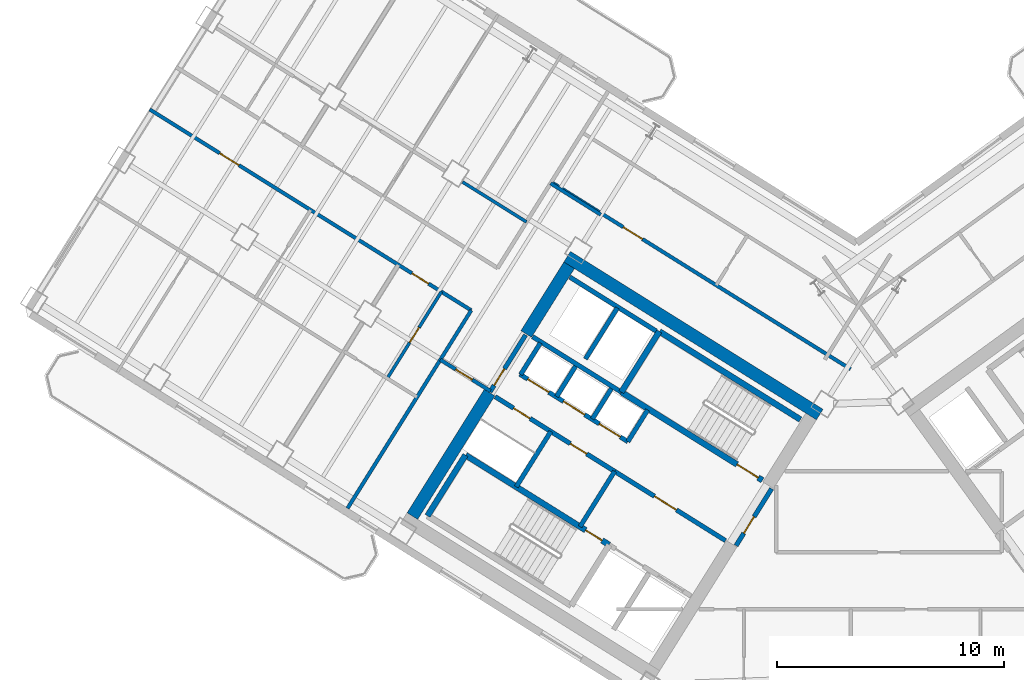
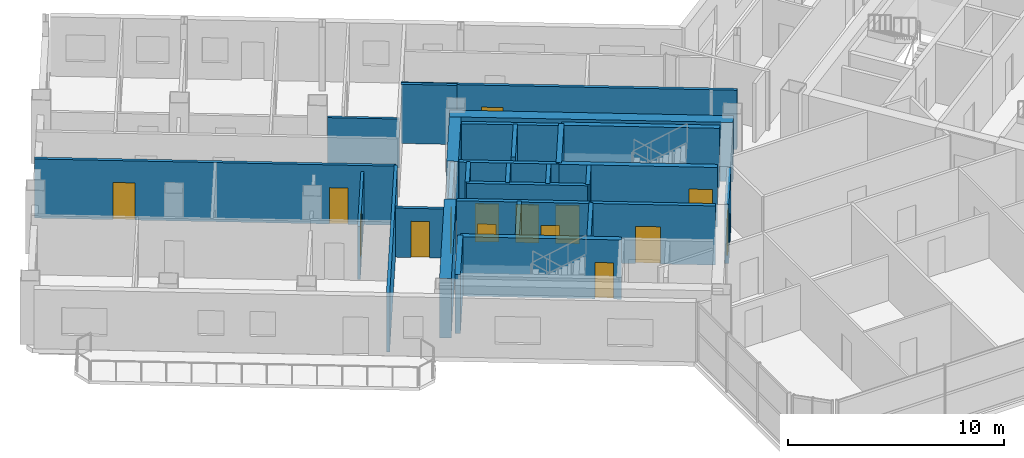
# One storey, part 12 of 20: 29 walls, 15 doors, 15 openings.
"""IFC4 building model written with IfcOpenShell, lengths in metres."""

from ifc_helpers import new_model, si_unit, direction, frame, frame_2d, origin, place, context, subcontext, project, spatial, rectangle, extrude, source, transform, mapped, material, layer, layer_set, type_object, element, fill, save


model = new_model("IFC4")

# Units and contexts
model_context = context("Model", 3, precision=1e-05, world=origin(), true_north=direction((0.0, 1.0)))
body_context = subcontext(model_context, "Body", "Model", "MODEL_VIEW")
ifc_project = project(units=[si_unit("LENGTHUNIT", "METRE"), si_unit("AREAUNIT", "SQUARE_METRE"), si_unit("VOLUMEUNIT", "CUBIC_METRE"), si_unit("PLANEANGLEUNIT", "RADIAN"), si_unit("MASSUNIT", "GRAM", prefix="KILO")], contexts=[model_context])

# Site, building, storey
site_placement = place(None, origin())
site = spatial("IfcSite", under=ifc_project, at=site_placement, CompositionType="ELEMENT")
building_placement = place(site_placement, origin())
building = spatial("IfcBuilding", under=site, at=building_placement, Name="Tlacorven Tower", CompositionType="ELEMENT")
storey_placement = place(building_placement, frame((0.0, 0.0, 116.10009765625)))
storey = spatial("IfcBuildingStorey", under=building, at=storey_placement, Name="L29", CompositionType="ELEMENT", Elevation=116.10009765625)

# Walls
ifc_material_1 = material(Name="Concrete C60/75", Category="concrete")
ifc_layer_1 = layer(ifc_material_1, 0.550048828125)
ifc_layer_set_1 = layer_set([ifc_layer_1], Name="Concrete C60/75")
wall_type_1 = type_object("IfcWallType", Name="WL-COR-550", PredefinedType="SHEAR", material=ifc_layer_set_1)
wall_1_placement = place(storey_placement, frame((40.572998046875, 24.010009765625, 0.0), z_axis=(0.0, 0.0, 1.0), x_axis=(-0.848047359947, 0.529920442413, 0.0)))
element("IfcWall", 1, at=wall_1_placement, inside=storey, type_object=wall_type_1, Name="L29 W core shear wall S1", PredefinedType="SHEAR", context=body_context, shape_type="SweptSolid", body=[
    extrude(rectangle(XDim=13.139892578125, YDim=0.550048828125, at=frame_2d((6.56982421875, 0.0))), origin(), (0.0, 0.0, 1.0), 3.349853515625),
])
wall_2_placement = place(storey_placement, frame((29.517333984375, 30.59423828125, 0.0), z_axis=(0.0, 0.0, 1.0), x_axis=(-0.529906864564, -0.848055844204, 0.0)))
element("IfcWall", 2, at=wall_2_placement, inside=storey, type_object=wall_type_1, Name="L29 W core end wall E2.1", PredefinedType="SHEAR", context=body_context, shape_type="SweptSolid", body=[
    extrude(rectangle(XDim=3.5751953125, YDim=0.550048828125, at=frame_2d((1.78759765625, 0.0))), origin(), (0.0, 0.0, 1.0), 3.349853515625),
])
wall_3_placement = place(storey_placement, frame((26.006591796875, 24.975830078125, 0.0), z_axis=(0.0, 0.0, 1.0), x_axis=(-0.529923795287, -0.848045264823, 0.0)))
element("IfcWall", 3, at=wall_3_placement, inside=storey, type_object=wall_type_1, Name="L29 W core end wall E2.2", PredefinedType="SHEAR", context=body_context, shape_type="SweptSolid", body=[
    extrude(rectangle(XDim=6.425048828125, YDim=0.550048828125, at=frame_2d((3.21240234375, 0.0))), origin(), (0.0, 0.0, 1.0), 3.349853515625),
])
ifc_material_2 = material(Name="Gypsum plasterboard acoustic partition", Category="gypsum")
ifc_layer_2 = layer(ifc_material_2, 0.159912109375)
ifc_layer_set_2 = layer_set([ifc_layer_2], Name="Gypsum plasterboard acoustic partition")
wall_type_2 = type_object("IfcWallType", Name="WL-DEM-160", PredefinedType="PARTITIONING", material=ifc_layer_set_2)
wall_4_placement = place(storey_placement, frame((30.91357421875, 32.82861328125, 0.0), z_axis=(0.0, 0.0, 1.0), x_axis=(-0.848008813643, 0.529982124211, 0.0)))
element("IfcWall", 4, at=wall_4_placement, inside=storey, type_object=wall_type_2, Name="L29 partition 43", PredefinedType="PARTITIONING", context=body_context, shape_type="SweptSolid", body=[
    extrude(rectangle(XDim=2.610107421875, YDim=0.159912109375, at=frame_2d((1.30517578125, 0.0))), origin(), (0.0, 0.0, 1.0), 3.33984375),
])

# Wall, opening, door
wall_5_placement = place(storey_placement, frame((26.048828125, 25.043701171875, 0.0), z_axis=(0.0, 0.0, 1.0), x_axis=(-0.848050851465, 0.529914854792, 0.0)))
wall_5 = element("IfcWall", 5, at=wall_5_placement, inside=storey, type_object=wall_type_2, Name="L29 partition 44", PredefinedType="PARTITIONING", context=body_context, shape_type="SweptSolid", body=[
    extrude(rectangle(XDim=2.60986328125, YDim=0.159912109375, at=frame_2d((1.304931640625, 0.0))), origin(), (0.0, 0.0, 1.0), 2.77490234375),
])
opening_1_placement = place(wall_5_placement, frame((0.949951171875, 0.0, 0.0)))
opening_1 = element("IfcOpeningElement", 6, at=opening_1_placement, cuts=wall_5, Name="Opening D19", PredefinedType="OPENING", context=body_context, shape_type="SweptSolid", body=[
    extrude(rectangle(XDim=0.860107421875, YDim=2.050048828125, at=frame_2d((0.43017578125, 1.02490234375))), frame((0.0, 0.08984375, 0.0), z_axis=(0.0, -1.0, 0.0), x_axis=(1.0, 0.0, 0.0)), (0.0, 0.0, 1.0), 0.179931640625),
])
ifc_material_3 = material(Name="Fire-rated steel door assembly", Category="steel")
door_type_1 = type_object("IfcDoorType", Name="DR-RSR-FD60-0860", OperationType="NOTDEFINED", PredefinedType="DOOR", material=ifc_material_3)
shared_shape_1 = source(origin(), body_context, "Body", "SweptSolid", [
    extrude(rectangle(XDim=0.860107421875, YDim=2.050048828125, at=frame_2d((0.43017578125, 1.02490234375))), frame((0.0, 0.02490234375, 0.0), z_axis=(0.0, -1.0, 0.0), x_axis=(1.0, 0.0, 0.0)), (0.0, 0.0, 1.0), 0.050048828125),
])
door_1_placement = place(opening_1_placement, origin())
door_1 = element("IfcDoor", 7, at=door_1_placement, inside=storey, type_object=door_type_1, Name="L29 door 020", OperationType="SINGLE_SWING_LEFT", OverallHeight=2.050048828125, OverallWidth=0.860107421875, PredefinedType="DOOR", context=body_context, shape_type="MappedRepresentation", body=[
    mapped(shared_shape_1, transform((0.0, 0.0, 0.0), scale=1.0)),
])
fill(opening_1, door_1)

# Wall
wall_6_placement = place(storey_placement, frame((25.197509765625, 28.606201171875, 0.0), z_axis=(0.0, 0.0, 1.0), x_axis=(-0.529926497642, -0.848043576178, 0.0)))
element("IfcWall", 8, at=wall_6_placement, inside=storey, type_object=wall_type_2, Name="L29 partition 46", PredefinedType="PARTITIONING", context=body_context, shape_type="SweptSolid", body=[
    extrude(rectangle(XDim=10.300048828125, YDim=0.159912109375, at=frame_2d((5.14990234375, 0.0))), origin(), (0.0, 0.0, 1.0), 3.33984375),
])

# Wall, openings, doors
wall_7_placement = place(storey_placement, frame((25.197509765625, 28.606201171875, 0.0), z_axis=(0.0, 0.0, 1.0), x_axis=(-0.848052408131, 0.529912363569, 0.0)))
wall_7 = element("IfcWall", 9, at=wall_7_placement, inside=storey, type_object=wall_type_2, Name="L29 Wing W Corridor North Wall", PredefinedType="PARTITIONING", context=body_context, shape_type="SweptSolid", body=[
    extrude(rectangle(XDim=16.72998046875, YDim=0.159912109375, at=frame_2d((8.364990234375, 0.0))), origin(), (0.0, 0.0, 1.0), 3.33984375),
])
opening_2_placement = place(wall_7_placement, frame((2.219970703125, 0.0, 0.0)))
opening_2 = element("IfcOpeningElement", 10, at=opening_2_placement, cuts=wall_7, Name="Opening D19", PredefinedType="OPENING", context=body_context, shape_type="SweptSolid", body=[
    extrude(rectangle(XDim=0.860107421875, YDim=2.050048828125, at=frame_2d((0.43017578125, 1.02490234375))), frame((0.0, 0.08984375, 0.0), z_axis=(0.0, -1.0, 0.0), x_axis=(1.0, 0.0, 0.0)), (0.0, 0.0, 1.0), 0.179931640625),
])
opening_3_placement = place(wall_7_placement, frame((12.083984375, 0.0, 0.0)))
opening_3 = element("IfcOpeningElement", 11, at=opening_3_placement, cuts=wall_7, Name="Opening D11", PredefinedType="OPENING", context=body_context, shape_type="SweptSolid", body=[
    extrude(rectangle(XDim=1.0, YDim=2.10009765625, at=frame_2d((0.5, 1.050048828125))), frame((0.0, 0.08984375, 0.0), z_axis=(0.0, -1.0, 0.0), x_axis=(1.0, 0.0, 0.0)), (0.0, 0.0, 1.0), 0.179931640625),
])
door_2_placement = place(opening_2_placement, origin())
door_2 = element("IfcDoor", 12, at=door_2_placement, inside=storey, type_object=door_type_1, Name="L29 door 022", OperationType="SINGLE_SWING_RIGHT", OverallHeight=2.050048828125, OverallWidth=0.860107421875, PredefinedType="DOOR", context=body_context, shape_type="MappedRepresentation", body=[
    mapped(shared_shape_1, transform((0.0, 0.0, 0.0), scale=1.0)),
])
fill(opening_2, door_2)
door_type_2 = type_object("IfcDoorType", Name="DR-FLT-FD60-1000", OperationType="NOTDEFINED", PredefinedType="DOOR", material=ifc_material_3)
shared_shape_2 = source(origin(), body_context, "Body", "SweptSolid", [
    extrude(rectangle(XDim=1.0, YDim=2.10009765625, at=frame_2d((0.5, 1.050048828125))), frame((0.0, 0.02490234375, 0.0), z_axis=(0.0, -1.0, 0.0), x_axis=(1.0, 0.0, 0.0)), (0.0, 0.0, 1.0), 0.050048828125),
])
door_3_placement = place(opening_3_placement, origin())
door_3 = element("IfcDoor", 13, at=door_3_placement, inside=storey, type_object=door_type_2, Name="L29 door 026", OperationType="SINGLE_SWING_RIGHT", OverallHeight=2.10009765625, OverallWidth=1.0, PredefinedType="DOOR", context=body_context, shape_type="MappedRepresentation", body=[
    mapped(shared_shape_2, transform((0.0, 0.0, 0.0), scale=1.0)),
])
fill(opening_3, door_3)

# Wall, opening, door
wall_8_placement = place(storey_placement, frame((41.93603515625, 26.011962890625, 0.0), z_axis=(0.0, 0.0, 1.0), x_axis=(-0.848051154596, 0.529914369676, 0.0)))
wall_8 = element("IfcWall", 14, at=wall_8_placement, inside=storey, type_object=wall_type_2, Name="L29 partition 66", PredefinedType="PARTITIONING", context=body_context, shape_type="SweptSolid", body=[
    extrude(rectangle(XDim=15.56982421875, YDim=0.159912109375, at=frame_2d((7.784912109375, 0.0))), origin(), (0.0, 0.0, 1.0), 3.33984375),
])
opening_4_placement = place(wall_8_placement, frame((10.830078125, 0.0, 0.0)))
opening_4 = element("IfcOpeningElement", 15, at=opening_4_placement, cuts=wall_8, Name="Opening D11", PredefinedType="OPENING", context=body_context, shape_type="SweptSolid", body=[
    extrude(rectangle(XDim=1.0, YDim=2.10009765625, at=frame_2d((0.5, 1.050048828125))), frame((0.0, 0.08984375, 0.0), z_axis=(0.0, -1.0, 0.0), x_axis=(1.0, 0.0, 0.0)), (0.0, 0.0, 1.0), 0.179931640625),
])
door_4_placement = place(opening_4_placement, origin())
door_4 = element("IfcDoor", 16, at=door_4_placement, inside=storey, type_object=door_type_2, Name="L29 door 040", OperationType="SINGLE_SWING_RIGHT", OverallHeight=2.10009765625, OverallWidth=1.0, PredefinedType="DOOR", context=body_context, shape_type="MappedRepresentation", body=[
    mapped(shared_shape_2, transform((0.0, 0.0, 0.0), scale=1.0)),
])
fill(opening_4, door_4)

ifc_material_4 = material(Name="Moisture-resistant gypsum plumbing wall", Category="gypsum")
ifc_layer_3 = layer(ifc_material_4, 0.139892578125)
ifc_layer_set_3 = layer_set([ifc_layer_3], Name="Moisture-resistant gypsum plumbing wall")
wall_type_3 = type_object("IfcWallType", Name="WL-PLM-140", PredefinedType="PLUMBINGWALL", material=ifc_layer_set_3)
wall_9_placement = place(storey_placement, frame((23.883056640625, 29.427490234375, 0.0), z_axis=(0.0, 0.0, 1.0), x_axis=(-0.529950281337, -0.84802871373, 0.0)))
wall_9 = element("IfcWall", 17, at=wall_9_placement, inside=storey, type_object=wall_type_3, Name="L29 partition 52", PredefinedType="PLUMBINGWALL", context=body_context, shape_type="SweptSolid", body=[
    extrude(rectangle(XDim=4.510009765625, YDim=0.139892578125, at=frame_2d((2.2548828125, 0.0))), origin(), (0.0, 0.0, 1.0), 2.994873046875),
])
opening_5_placement = place(wall_9_placement, frame((1.864990234375, 0.0, 0.0)))
opening_5 = element("IfcOpeningElement", 18, at=opening_5_placement, cuts=wall_9, Name="Opening D22", PredefinedType="OPENING", context=body_context, shape_type="SweptSolid", body=[
    extrude(rectangle(XDim=0.780029296875, YDim=2.050048828125, at=frame_2d((0.39013671875, 1.02490234375))), frame((0.0, 0.080078125, 0.0), z_axis=(0.0, -1.0, 0.0), x_axis=(1.0, 0.0, 0.0)), (0.0, 0.0, 1.0), 0.159912109375),
])
ifc_material_5 = material(Name="Powder-coated aluminium and timber door", Category="wood")
door_type_3 = type_object("IfcDoorType", Name="DR-INT-WET-0780", OperationType="NOTDEFINED", PredefinedType="DOOR", material=ifc_material_5)
shared_shape_3 = source(origin(), body_context, "Body", "SweptSolid", [
    extrude(rectangle(XDim=0.780029296875, YDim=2.050048828125, at=frame_2d((0.39013671875, 1.02490234375))), frame((0.0, 0.02490234375, 0.0), z_axis=(0.0, -1.0, 0.0), x_axis=(1.0, 0.0, 0.0)), (0.0, 0.0, 1.0), 0.050048828125),
])
door_5_placement = place(opening_5_placement, origin())
door_5 = element("IfcDoor", 19, at=door_5_placement, inside=storey, type_object=door_type_3, Name="L29 door 024", OperationType="SINGLE_SWING_RIGHT", OverallHeight=2.050048828125, OverallWidth=0.780029296875, PredefinedType="DOOR", context=body_context, shape_type="MappedRepresentation", body=[
    mapped(shared_shape_3, transform((0.0, 0.0, 0.0), scale=1.0)),
])
fill(opening_5, door_5)

# Wall
wall_10_placement = place(storey_placement, frame((27.635009765625, 32.50732421875, 0.0), z_axis=(0.0, 0.0, 1.0), x_axis=(-0.848064240775, 0.529893426567, 0.0)))
element("IfcWall", 20, at=wall_10_placement, inside=storey, type_object=wall_type_3, Name="L29 partition 60", PredefinedType="PLUMBINGWALL", context=body_context, shape_type="SweptSolid", body=[
    extrude(rectangle(XDim=3.327880859375, YDim=0.139892578125, at=frame_2d((1.6640625, 0.0))), origin(), (0.0, 0.0, 1.0), 2.77490234375),
])

# Wall, opening, door
ifc_material_6 = material(Name="Concrete C40/50", Category="concrete")
ifc_layer_4 = layer(ifc_material_6, 0.199951171875)
ifc_layer_set_4 = layer_set([ifc_layer_4], Name="Concrete C40/50")
wall_type_4 = type_object("IfcWallType", Name="WL-SHF-200", PredefinedType="STANDARD", material=ifc_layer_set_4)
wall_11_placement = place(storey_placement, frame((36.416748046875, 18.447265625, 0.0), z_axis=(0.0, 0.0, 1.0), x_axis=(-0.848064879198, 0.529892404805, 0.0)))
wall_11 = element("IfcWall", 21, at=wall_11_placement, inside=storey, type_object=wall_type_4, Name="L29 Core W Smoke Lobby Wall", PredefinedType="STANDARD", context=body_context, shape_type="SweptSolid", body=[
    extrude(rectangle(XDim=5.76806640625, YDim=0.199951171875, at=frame_2d((2.884033203125, 0.0))), origin(), (0.0, 0.0, 1.0), 3.33984375),
])
opening_6_placement = place(wall_11_placement, frame((2.548095703125, 0.0, 0.0)))
opening_6 = element("IfcOpeningElement", 22, at=opening_6_placement, cuts=wall_11, Name="Opening D09", PredefinedType="OPENING", context=body_context, shape_type="SweptSolid", body=[
    extrude(rectangle(XDim=1.14990234375, YDim=2.10009765625, at=frame_2d((0.574951171875, 1.050048828125))), frame((0.0, 0.10986328125, 0.0), z_axis=(0.0, -1.0, 0.0), x_axis=(1.0, 0.0, 0.0)), (0.0, 0.0, 1.0), 0.219970703125),
])
door_type_4 = type_object("IfcDoorType", Name="DR-FFL-FD60-1150", OperationType="NOTDEFINED", PredefinedType="DOOR", material=ifc_material_3)
shared_shape_4 = source(origin(), body_context, "Body", "SweptSolid", [
    extrude(rectangle(XDim=1.14990234375, YDim=2.10009765625, at=frame_2d((0.574951171875, 1.050048828125))), frame((0.0, 0.02490234375, 0.0), z_axis=(0.0, -1.0, 0.0), x_axis=(1.0, 0.0, 0.0)), (0.0, 0.0, 1.0), 0.050048828125),
])
door_6_placement = place(opening_6_placement, origin())
door_6 = element("IfcDoor", 23, at=door_6_placement, inside=storey, type_object=door_type_4, Name="L29 Firefighting Lobby W Fire Door", OperationType="SINGLE_SWING_LEFT", OverallHeight=2.10009765625, OverallWidth=1.14990234375, PredefinedType="DOOR", context=body_context, shape_type="MappedRepresentation", body=[
    mapped(shared_shape_4, transform((0.0, 0.0, 0.0), scale=1.0)),
])
fill(opening_6, door_6)

# Wall
wall_12_placement = place(storey_placement, frame((31.82177734375, 24.99755859375, 0.0), z_axis=(0.0, 0.0, 1.0), x_axis=(-0.848036912365, 0.52993716162, 0.0)))
element("IfcWall", 24, at=wall_12_placement, inside=storey, type_object=wall_type_4, Name="L29 Core W South Lift Shaft Wall", PredefinedType="STANDARD", context=body_context, shape_type="SweptSolid", body=[
    extrude(rectangle(XDim=4.617919921875, YDim=0.199951171875, at=frame_2d((2.30908203125, 0.0))), origin(), (0.0, 0.0, 1.0), 3.33984375),
])

# Wall, openings, doors
wall_13_placement = place(storey_placement, frame((32.108154296875, 22.81396484375, 0.0), z_axis=(0.0, 0.0, 1.0), x_axis=(-0.848042229521, 0.529928652696, 0.0)))
wall_13 = element("IfcWall", 25, at=wall_13_placement, inside=storey, type_object=wall_type_4, Name="L29 partition 11", PredefinedType="STANDARD", context=body_context, shape_type="SweptSolid", body=[
    extrude(rectangle(XDim=5.6201171875, YDim=0.199951171875, at=frame_2d((2.81005859375, 0.0))), origin(), (0.0, 0.0, 1.0), 3.33984375),
])
opening_7_placement = place(wall_13_placement, frame((0.389892578125, 0.0, 0.0)))
opening_7 = element("IfcOpeningElement", 26, at=opening_7_placement, cuts=wall_13, Name="Opening LD01", PredefinedType="OPENING", context=body_context, shape_type="SweptSolid", body=[
    extrude(rectangle(XDim=1.10009765625, YDim=2.14990234375, at=frame_2d((0.550048828125, 1.074951171875))), frame((0.0, 0.10986328125, 0.0), z_axis=(0.0, -1.0, 0.0), x_axis=(1.0, 0.0, 0.0)), (0.0, 0.0, 1.0), 0.219970703125),
])
opening_8_placement = place(wall_13_placement, frame((2.25, 0.0, 0.0)))
opening_8 = element("IfcOpeningElement", 27, at=opening_8_placement, cuts=wall_13, Name="Opening LD01", PredefinedType="OPENING", context=body_context, shape_type="SweptSolid", body=[
    extrude(rectangle(XDim=1.10009765625, YDim=2.14990234375, at=frame_2d((0.550048828125, 1.074951171875))), frame((0.0, 0.10986328125, 0.0), z_axis=(0.0, -1.0, 0.0), x_axis=(1.0, 0.0, 0.0)), (0.0, 0.0, 1.0), 0.219970703125),
])
opening_9_placement = place(wall_13_placement, frame((4.110107421875, 0.0, 0.0)))
opening_9 = element("IfcOpeningElement", 28, at=opening_9_placement, cuts=wall_13, Name="Opening LD01", PredefinedType="OPENING", context=body_context, shape_type="SweptSolid", body=[
    extrude(rectangle(XDim=1.10009765625, YDim=2.14990234375, at=frame_2d((0.550048828125, 1.074951171875))), frame((0.0, 0.10986328125, 0.0), z_axis=(0.0, -1.0, 0.0), x_axis=(1.0, 0.0, 0.0)), (0.0, 0.0, 1.0), 0.219970703125),
])
door_type_5 = type_object("IfcDoorType", Name="DR-LFT-SLID-1100", OperationType="DOUBLE_DOOR_SLIDING", PredefinedType="DOOR", material=ifc_material_3)
shared_shape_5 = source(origin(), body_context, "Body", "SweptSolid", [
    extrude(rectangle(XDim=1.10009765625, YDim=2.14990234375, at=frame_2d((0.550048828125, 1.074951171875))), frame((0.0, 0.02490234375, 0.0), z_axis=(0.0, -1.0, 0.0), x_axis=(1.0, 0.0, 0.0)), (0.0, 0.0, 1.0), 0.050048828125),
])
door_7_placement = place(opening_7_placement, origin())
door_7 = element("IfcDoor", 29, at=door_7_placement, inside=storey, type_object=door_type_5, Name="L29 Lift PL-M1 Sliding Landing Door", OperationType="DOUBLE_DOOR_SLIDING", OverallHeight=2.14990234375, OverallWidth=1.10009765625, PredefinedType="DOOR", context=body_context, shape_type="MappedRepresentation", body=[
    mapped(shared_shape_5, transform((0.0, 0.0, 0.0), scale=1.0)),
])
fill(opening_7, door_7)
door_8_placement = place(opening_8_placement, origin())
door_8 = element("IfcDoor", 30, at=door_8_placement, inside=storey, type_object=door_type_5, Name="L29 Lift PL-M2 Sliding Landing Door", OperationType="DOUBLE_DOOR_SLIDING", OverallHeight=2.14990234375, OverallWidth=1.10009765625, PredefinedType="DOOR", context=body_context, shape_type="MappedRepresentation", body=[
    mapped(shared_shape_5, transform((0.0, 0.0, 0.0), scale=1.0)),
])
fill(opening_8, door_8)
door_9_placement = place(opening_9_placement, origin())
door_9 = element("IfcDoor", 31, at=door_9_placement, inside=storey, type_object=door_type_5, Name="L29 Lift PL-M3 Sliding Landing Door", OperationType="DOUBLE_DOOR_SLIDING", OverallHeight=2.14990234375, OverallWidth=1.10009765625, PredefinedType="DOOR", context=body_context, shape_type="MappedRepresentation", body=[
    mapped(shared_shape_5, transform((0.0, 0.0, 0.0), scale=1.0)),
])
fill(opening_9, door_9)

# Walls
wall_14_placement = place(storey_placement, frame((32.982421875, 24.21337890625, 0.0), z_axis=(0.0, 0.0, 1.0), x_axis=(-0.529839334948, -0.84809803628, 0.0)))
element("IfcWall", 32, at=wall_14_placement, inside=storey, type_object=wall_type_4, Name="L29 partition 12", PredefinedType="STANDARD", context=body_context, shape_type="SweptSolid", body=[
    extrude(rectangle(XDim=1.650146484375, YDim=0.199951171875, at=frame_2d((0.8251953125, 0.0))), origin(), (0.0, 0.0, 1.0), 3.33984375),
])
wall_15_placement = place(storey_placement, frame((28.250244140625, 27.170166015625, 0.0), z_axis=(0.0, 0.0, 1.0), x_axis=(-0.529905827651, -0.848056492117, 0.0)))
element("IfcWall", 33, at=wall_15_placement, inside=storey, type_object=wall_type_4, Name="L29 partition 13", PredefinedType="STANDARD", context=body_context, shape_type="SweptSolid", body=[
    extrude(rectangle(XDim=1.64990234375, YDim=0.199951171875, at=frame_2d((0.824951171875, 0.0))), origin(), (0.0, 0.0, 1.0), 3.33984375),
])
wall_16_placement = place(storey_placement, frame((31.645263671875, 28.716064453125, 0.0), z_axis=(0.0, 0.0, 1.0), x_axis=(-0.52986693015, -0.848080795876, 0.0)))
element("IfcWall", 34, at=wall_16_placement, inside=storey, type_object=wall_type_4, Name="L29 partition 15", PredefinedType="STANDARD", context=body_context, shape_type="SweptSolid", body=[
    extrude(rectangle(XDim=2.659912109375, YDim=0.199951171875, at=frame_2d((1.330078125, 0.0))), origin(), (0.0, 0.0, 1.0), 3.33984375),
])
wall_17_placement = place(storey_placement, frame((33.362548828125, 27.690185546875, 0.0), z_axis=(0.0, 0.0, 1.0), x_axis=(-0.848047090064, 0.529920874315, 0.0)))
element("IfcWall", 35, at=wall_17_placement, inside=storey, type_object=wall_type_4, Name="L29 partition 17", PredefinedType="STANDARD", context=body_context, shape_type="SweptSolid", body=[
    extrude(rectangle(XDim=4.498046875, YDim=0.199951171875, at=frame_2d((2.2490234375, 0.0))), origin(), (0.0, 0.0, 1.0), 3.33984375),
])
for number, where, z_axis, x_axis, name in (
    (36, (31.378662109375, 25.156494140625, 0.0), (0.0, 0.0, 1.0), (-0.529998940003, -0.847998304005, 0.0), "L29 partition 18"),
    (37, (29.80126953125, 26.14208984375, 0.0), (0.0, 0.0, 1.0), (-0.529998940003, -0.847998304005, 0.0), "L29 partition 19"),
):
    element("IfcWall", number, at=place(storey_placement, frame(where, z_axis=z_axis, x_axis=x_axis)), inside=storey, type_object=wall_type_4, Name=name, PredefinedType="STANDARD", context=body_context, shape_type="SweptSolid", body=[
        extrude(rectangle(XDim=1.580078125, YDim=0.199951171875, at=frame_2d((0.7900390625, 0.0))), origin(), (0.0, 0.0, 1.0), 3.33984375),
    ])
for number, where, z_axis, x_axis, name in (
    (38, (31.525146484375, 21.503662109375, 0.0), (0.0, 0.0, 1.0), (-0.529907497854, -0.848055448493, 0.0), "L29 partition 20"),
    (39, (28.709716796875, 23.26318359375, 0.0), (0.0, 0.0, 1.0), (-0.529907497854, -0.848055448493, 0.0), "L29 partition 21"),
):
    element("IfcWall", number, at=place(storey_placement, frame(where, z_axis=z_axis, x_axis=x_axis)), inside=storey, type_object=wall_type_4, Name=name, PredefinedType="STANDARD", context=body_context, shape_type="SweptSolid", body=[
        extrude(rectangle(XDim=2.8798828125, YDim=0.199951171875, at=frame_2d((1.43994140625, 0.0))), origin(), (0.0, 0.0, 1.0), 3.33984375),
    ])

# Wall, openings, doors
wall_18_placement = place(storey_placement, frame((31.525146484375, 21.503662109375, 0.0), z_axis=(0.0, 0.0, 1.0), x_axis=(-0.848040211232, 0.529931882541, 0.0)))
wall_18 = element("IfcWall", 40, at=wall_18_placement, inside=storey, type_object=wall_type_4, Name="L29 Core W North Service Wall", PredefinedType="STANDARD", context=body_context, shape_type="SweptSolid", body=[
    extrude(rectangle(XDim=6.218017578125, YDim=0.199951171875, at=frame_2d((3.10888671875, 0.0))), origin(), (0.0, 0.0, 1.0), 3.33984375),
])
opening_10_placement = place(wall_18_placement, frame((4.39990234375, 0.0, 0.0)))
opening_10 = element("IfcOpeningElement", 41, at=opening_10_placement, cuts=wall_18, Name="Opening D19", PredefinedType="OPENING", context=body_context, shape_type="SweptSolid", body=[
    extrude(rectangle(XDim=0.860107421875, YDim=2.050048828125, at=frame_2d((0.43017578125, 1.02490234375))), frame((0.0, 0.10986328125, 0.0), z_axis=(0.0, -1.0, 0.0), x_axis=(1.0, 0.0, 0.0)), (0.0, 0.0, 1.0), 0.219970703125),
])
opening_11_placement = place(wall_18_placement, frame((1.449951171875, 0.0, 0.0)))
opening_11 = element("IfcOpeningElement", 42, at=opening_11_placement, cuts=wall_18, Name="Opening D19", PredefinedType="OPENING", context=body_context, shape_type="SweptSolid", body=[
    extrude(rectangle(XDim=0.860107421875, YDim=2.050048828125, at=frame_2d((0.43017578125, 1.02490234375))), frame((0.0, 0.10986328125, 0.0), z_axis=(0.0, -1.0, 0.0), x_axis=(1.0, 0.0, 0.0)), (0.0, 0.0, 1.0), 0.219970703125),
])
door_10_placement = place(opening_10_placement, frame((0.860107421875, 0.0, 0.0), z_axis=(0.0, 0.0, 1.0), x_axis=(-1.0, 0.0, 0.0)))
door_10 = element("IfcDoor", 43, at=door_10_placement, inside=storey, type_object=door_type_1, Name="L29 Electrical Riser Access Door W", OperationType="SINGLE_SWING_RIGHT", OverallHeight=2.050048828125, OverallWidth=0.860107421875, PredefinedType="DOOR", context=body_context, shape_type="MappedRepresentation", body=[
    mapped(shared_shape_1, transform((0.0, 0.0, 0.0), scale=1.0)),
])
fill(opening_10, door_10)
door_11_placement = place(opening_11_placement, frame((0.860107421875, 0.0, 0.0), z_axis=(0.0, 0.0, 1.0), x_axis=(-1.0, 0.0, 0.0)))
door_11 = element("IfcDoor", 44, at=door_11_placement, inside=storey, type_object=door_type_1, Name="L29 Housekeeping Linen Access Door W", OperationType="SINGLE_SWING_LEFT", OverallHeight=2.050048828125, OverallWidth=0.860107421875, PredefinedType="DOOR", context=body_context, shape_type="MappedRepresentation", body=[
    mapped(shared_shape_1, transform((0.0, 0.0, 0.0), scale=1.0)),
])
fill(opening_11, door_11)

# Wall, opening, door
wall_19_placement = place(storey_placement, frame((27.59619140625, 27.52001953125, 0.0), z_axis=(0.0, 0.0, 1.0), x_axis=(-0.529865479138, -0.848081702443, 0.0)))
wall_19 = element("IfcWall", 45, at=wall_19_placement, inside=storey, type_object=wall_type_4, Name="L29 partition 42", PredefinedType="STANDARD", context=body_context, shape_type="SweptSolid", body=[
    extrude(rectangle(XDim=2.9599609375, YDim=0.199951171875, at=frame_2d((1.47998046875, 0.0))), origin(), (0.0, 0.0, 1.0), 3.33984375),
])
opening_12_placement = place(wall_19_placement, frame((1.760009765625, 0.0, 0.0)))
opening_12 = element("IfcOpeningElement", 46, at=opening_12_placement, cuts=wall_19, Name="Opening D19", PredefinedType="OPENING", context=body_context, shape_type="SweptSolid", body=[
    extrude(rectangle(XDim=0.860107421875, YDim=2.050048828125, at=frame_2d((0.43017578125, 1.02490234375))), frame((0.0, 0.10986328125, 0.0), z_axis=(0.0, -1.0, 0.0), x_axis=(1.0, 0.0, 0.0)), (0.0, 0.0, 1.0), 0.219970703125),
])
door_12_placement = place(opening_12_placement, origin())
door_12 = element("IfcDoor", 47, at=door_12_placement, inside=storey, type_object=door_type_1, Name="L29 door 021", OperationType="SINGLE_SWING_LEFT", OverallHeight=2.050048828125, OverallWidth=0.860107421875, PredefinedType="DOOR", context=body_context, shape_type="MappedRepresentation", body=[
    mapped(shared_shape_1, transform((0.0, 0.0, 0.0), scale=1.0)),
])
fill(opening_12, door_12)

wall_20_placement = place(storey_placement, frame((38.451416015625, 20.737060546875, 0.0), z_axis=(0.0, 0.0, 1.0), x_axis=(-0.529924799939, -0.848044637038, 0.0)))
wall_20 = element("IfcWall", 48, at=wall_20_placement, inside=storey, type_object=wall_type_4, Name="L29 partition 70", PredefinedType="STANDARD", context=body_context, shape_type="SweptSolid", body=[
    extrude(rectangle(XDim=2.9599609375, YDim=0.199951171875, at=frame_2d((1.47998046875, 0.0))), origin(), (0.0, 0.0, 1.0), 3.33984375),
])
opening_13_placement = place(wall_20_placement, frame((1.4599609375, 0.0, 0.0)))
opening_13 = element("IfcOpeningElement", 49, at=opening_13_placement, cuts=wall_20, Name="Opening D19", PredefinedType="OPENING", context=body_context, shape_type="SweptSolid", body=[
    extrude(rectangle(XDim=0.860107421875, YDim=2.050048828125, at=frame_2d((0.43017578125, 1.02490234375))), frame((0.0, 0.10986328125, 0.0), z_axis=(0.0, -1.0, 0.0), x_axis=(1.0, 0.0, 0.0)), (0.0, 0.0, 1.0), 0.219970703125),
])
door_13_placement = place(opening_13_placement, frame((0.860107421875, 0.0, 0.0), z_axis=(0.0, 0.0, 1.0), x_axis=(-1.0, 0.0, 0.0)))
door_13 = element("IfcDoor", 50, at=door_13_placement, inside=storey, type_object=door_type_1, Name="L29 door 044", OperationType="SINGLE_SWING_LEFT", OverallHeight=2.050048828125, OverallWidth=0.860107421875, PredefinedType="DOOR", context=body_context, shape_type="MappedRepresentation", body=[
    mapped(shared_shape_1, transform((0.0, 0.0, 0.0), scale=1.0)),
])
fill(opening_13, door_13)

ifc_material_7 = material(Name="Concrete C50/60", Category="concrete")
ifc_layer_5 = layer(ifc_material_7, 0.260009765625)
ifc_layer_set_5 = layer_set([ifc_layer_5], Name="Concrete C50/60")
wall_type_5 = type_object("IfcWallType", Name="WL-STW-260", PredefinedType="SHEAR", material=ifc_layer_set_5)
wall_21_placement = place(storey_placement, frame((31.279541015625, 18.26123046875, 0.0), z_axis=(0.0, 0.0, 1.0), x_axis=(-0.848051618787, 0.529913626805, 0.0)))
wall_21 = element("IfcWall", 51, at=wall_21_placement, inside=storey, type_object=wall_type_5, Name="L29 Stair W1 Lobby Shear Wall", PredefinedType="SHEAR", context=body_context, shape_type="SweptSolid", body=[
    extrude(rectangle(XDim=7.4599609375, YDim=0.260009765625, at=frame_2d((3.72998046875, 0.0))), origin(), (0.0, 0.0, 1.0), 3.349853515625),
])
opening_14_placement = place(wall_21_placement, frame((0.360107421875, 0.0, 0.0)))
opening_14 = element("IfcOpeningElement", 52, at=opening_14_placement, cuts=wall_21, Name="Opening D19", PredefinedType="OPENING", context=body_context, shape_type="SweptSolid", body=[
    extrude(rectangle(XDim=0.860107421875, YDim=2.050048828125, at=frame_2d((0.43017578125, 1.02490234375))), frame((0.0, 0.14013671875, 0.0), z_axis=(0.0, -1.0, 0.0), x_axis=(1.0, 0.0, 0.0)), (0.0, 0.0, 1.0), 0.280029296875),
])
door_14_placement = place(opening_14_placement, frame((0.860107421875, 0.0, 0.0), z_axis=(0.0, 0.0, 1.0), x_axis=(-1.0, 0.0, 0.0)))
door_14 = element("IfcDoor", 53, at=door_14_placement, inside=storey, type_object=door_type_1, Name="L29 Exit Stair W1 Fire Door", OperationType="SINGLE_SWING_LEFT", OverallHeight=2.050048828125, OverallWidth=0.860107421875, PredefinedType="DOOR", context=body_context, shape_type="MappedRepresentation", body=[
    mapped(shared_shape_1, transform((0.0, 0.0, 0.0), scale=1.0)),
])
fill(opening_14, door_14)

# Walls
wall_22_placement = place(storey_placement, frame((24.944580078125, 22.2197265625, 0.0), z_axis=(0.0, 0.0, 1.0), x_axis=(-0.529908658664, -0.84805472316, 0.0)))
element("IfcWall", 54, at=wall_22_placement, inside=storey, type_object=wall_type_5, Name="L29 Stair W1 East Shear Wall", PredefinedType="SHEAR", context=body_context, shape_type="SweptSolid", body=[
    extrude(rectangle(XDim=3.16015625, YDim=0.260009765625, at=frame_2d((1.580078125, 0.0))), origin(), (0.0, 0.0, 1.0), 3.349853515625),
])
wall_23_placement = place(storey_placement, frame((39.720947265625, 23.787841796875, 0.0), z_axis=(0.0, 0.0, 1.0), x_axis=(-0.848054434086, 0.529909121291, 0.0)))
element("IfcWall", 55, at=wall_23_placement, inside=storey, type_object=wall_type_5, Name="L29 Stair W2 Far Shear Wall", PredefinedType="SHEAR", context=body_context, shape_type="SweptSolid", body=[
    extrude(rectangle(XDim=7.330078125, YDim=0.260009765625, at=frame_2d((3.6650390625, 0.0))), origin(), (0.0, 0.0, 1.0), 3.349853515625),
])

# Wall, opening, door
wall_24_placement = place(storey_placement, frame((38.04638671875, 21.10791015625, 0.0), z_axis=(0.0, 0.0, 1.0), x_axis=(-0.848054434086, 0.529909121291, 0.0)))
wall_24 = element("IfcWall", 56, at=wall_24_placement, inside=storey, type_object=wall_type_5, Name="L29 Stair W2 Lobby Shear Wall", PredefinedType="SHEAR", context=body_context, shape_type="SweptSolid", body=[
    extrude(rectangle(XDim=7.330078125, YDim=0.260009765625, at=frame_2d((3.6650390625, 0.0))), origin(), (0.0, 0.0, 1.0), 3.349853515625),
])
opening_15_placement = place(wall_24_placement, frame((0.219970703125, 0.0, 0.0)))
opening_15 = element("IfcOpeningElement", 57, at=opening_15_placement, cuts=wall_24, Name="Opening D07", PredefinedType="OPENING", context=body_context, shape_type="SweptSolid", body=[
    extrude(rectangle(XDim=1.10009765625, YDim=2.10009765625, at=frame_2d((0.550048828125, 1.050048828125))), frame((0.0, 0.14013671875, 0.0), z_axis=(0.0, -1.0, 0.0), x_axis=(1.0, 0.0, 0.0)), (0.0, 0.0, 1.0), 0.280029296875),
])
door_type_6 = type_object("IfcDoorType", Name="DR-STR-FD90-1100", OperationType="NOTDEFINED", PredefinedType="DOOR", material=ifc_material_3)
shared_shape_6 = source(origin(), body_context, "Body", "SweptSolid", [
    extrude(rectangle(XDim=1.10009765625, YDim=2.10009765625, at=frame_2d((0.550048828125, 1.050048828125))), frame((0.0, 0.02490234375, 0.0), z_axis=(0.0, -1.0, 0.0), x_axis=(1.0, 0.0, 0.0)), (0.0, 0.0, 1.0), 0.050048828125),
])
door_15_placement = place(opening_15_placement, origin())
door_15 = element("IfcDoor", 58, at=door_15_placement, inside=storey, type_object=door_type_6, Name="L29 Exit Stair W2 Fire Door", OperationType="SINGLE_SWING_RIGHT", OverallHeight=2.10009765625, OverallWidth=1.10009765625, PredefinedType="DOOR", context=body_context, shape_type="MappedRepresentation", body=[
    mapped(shared_shape_6, transform((0.0, 0.0, 0.0), scale=1.0)),
])
fill(opening_15, door_15)

# Wall
wall_25_placement = place(storey_placement, frame((33.496337890625, 27.677490234375, 0.0), z_axis=(0.0, 0.0, 1.0), x_axis=(-0.529908658664, -0.84805472316, 0.0)))
element("IfcWall", 59, at=wall_25_placement, inside=storey, type_object=wall_type_5, Name="L29 Stair W2 East Shear Wall", PredefinedType="SHEAR", context=body_context, shape_type="SweptSolid", body=[
    extrude(rectangle(XDim=3.16015625, YDim=0.260009765625, at=frame_2d((1.580078125, 0.0))), origin(), (0.0, 0.0, 1.0), 3.349853515625),
])

save(model, "model.ifc")
